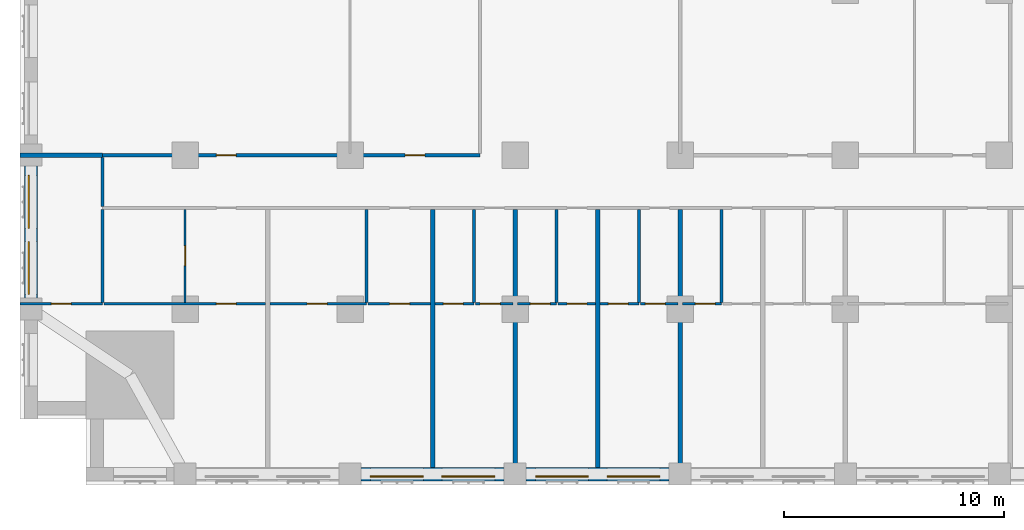
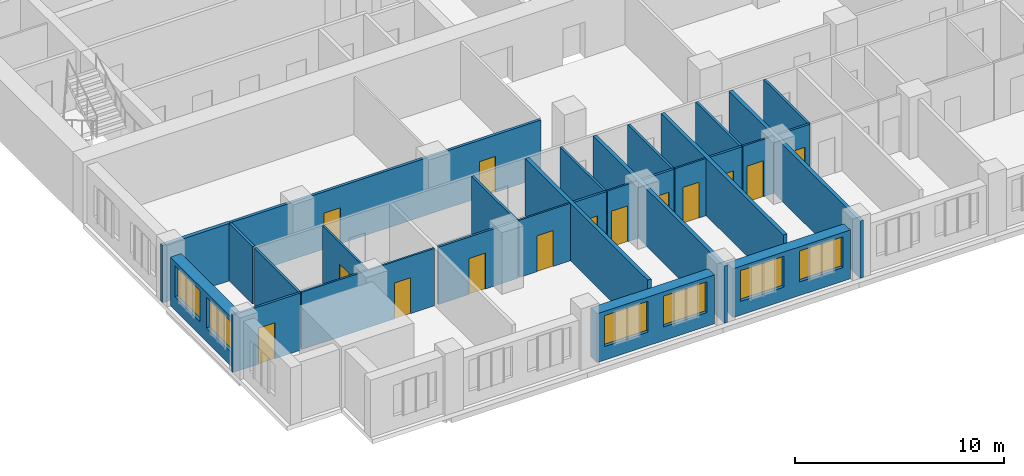
# One storey, part 4 of 15: 28 walls, 14 doors, 6 windows, 20 openings.
"""IFC4 building model written with IfcOpenShell, lengths in metres."""

from ifc_helpers import new_model, si_unit, direction, frame, frame_2d, origin, place, context, subcontext, project, spatial, rectangle, extrude, material, layer, layer_set, type_object, element, fill, save


model = new_model("IFC4")

# Units and contexts
model_context = context("Model", 3, precision=1e-05, world=origin(), true_north=direction((0.0, 1.0)))
body_context = subcontext(model_context, "Body", "Model", "MODEL_VIEW")
ifc_project = project(units=[si_unit("LENGTHUNIT", "METRE"), si_unit("AREAUNIT", "SQUARE_METRE"), si_unit("VOLUMEUNIT", "CUBIC_METRE"), si_unit("PLANEANGLEUNIT", "RADIAN"), si_unit("MASSUNIT", "GRAM", prefix="KILO")], contexts=[model_context])

# Site, building, storey
site_placement = place(None, origin())
site = spatial("IfcSite", under=ifc_project, at=site_placement, CompositionType="ELEMENT")
building_placement = place(site_placement, origin())
building = spatial("IfcBuilding", under=site, at=building_placement, Name="Tamorin Gate", CompositionType="ELEMENT")
storey_placement = place(building_placement, frame((0.0, 0.0, 62.800048828125)))
storey = spatial("IfcBuildingStorey", under=building, at=storey_placement, Name="L14", CompositionType="ELEMENT", Elevation=62.800048828125)

# Wall, openings, windows
ifc_material_1 = material(Name="Precast concrete C40/50", Category="concrete")
ifc_layer_1 = layer(ifc_material_1, 0.60009765625)
ifc_layer_set_1 = layer_set([ifc_layer_1], Name="Precast concrete C40/50")
wall_type_1 = type_object("IfcWallType", Name="Board-marked concrete facade panel 600", PredefinedType="SOLIDWALL", material=ifc_layer_set_1)
wall_1_placement = place(storey_placement, frame((45.5, 38.0, 0.0), z_axis=(0.0, 0.0, 1.0), x_axis=(1.0, 0.0, 0.0)))
wall_1 = element("IfcWall", 1, at=wall_1_placement, inside=storey, type_object=wall_type_1, Name="Facade panel", PredefinedType="SOLIDWALL", context=body_context, shape_type="SweptSolid", body=[
    extrude(rectangle(XDim=6.5, YDim=0.60009765625, at=frame_2d((3.25, 0.0))), origin(), (0.0, 0.0, 1.0), 2.849853515625),
])
opening_1_placement = place(wall_1_placement, frame((0.425048828125, 0.0, 0.800048828125)))
opening_1 = element("IfcOpeningElement", 2, at=opening_1_placement, cuts=wall_1, Name="Opening WN1", PredefinedType="OPENING", context=body_context, shape_type="SweptSolid", body=[
    extrude(rectangle(XDim=2.39990234375, YDim=1.800048828125, at=frame_2d((1.199951171875, 0.89990234375))), frame((0.0, 0.31005859375, 0.0), z_axis=(0.0, -1.0, 0.0), x_axis=(1.0, 0.0, 0.0)), (0.0, 0.0, 1.0), 0.6201171875),
])
opening_2_placement = place(wall_1_placement, frame((3.675048828125, 0.0, 0.800048828125)))
opening_2 = element("IfcOpeningElement", 3, at=opening_2_placement, cuts=wall_1, Name="Opening WN1", PredefinedType="OPENING", context=body_context, shape_type="SweptSolid", body=[
    extrude(rectangle(XDim=2.39990234375, YDim=1.800048828125, at=frame_2d((1.199951171875, 0.89990234375))), frame((0.0, 0.31005859375, 0.0), z_axis=(0.0, -1.0, 0.0), x_axis=(1.0, 0.0, 0.0)), (0.0, 0.0, 1.0), 0.6201171875),
])
ifc_material_2 = material(Name="Clear glass in aluminium frame", Category="aluminium")
window_type = type_object("IfcWindowType", Name="Deep-set window 2400x1800", PartitioningType="SINGLE_PANEL", PredefinedType="WINDOW", material=ifc_material_2)
window_1_placement = place(opening_1_placement, origin())
window_1 = element("IfcWindow", 4, at=window_1_placement, inside=storey, type_object=window_type, Name="Deep-set window", OverallHeight=1.800048828125, OverallWidth=2.39990234375, PartitioningType="SINGLE_PANEL", PredefinedType="WINDOW", context=body_context, shape_type="SweptSolid", body=[
    extrude(rectangle(XDim=2.39990234375, YDim=1.800048828125, at=frame_2d((1.199951171875, 0.89990234375))), frame((0.0, -0.070068359375, 0.0), z_axis=(0.0, -1.0, 0.0), x_axis=(1.0, 0.0, 0.0)), (0.0, 0.0, 1.0), 0.06005859375),
])
fill(opening_1, window_1)
window_2_placement = place(opening_2_placement, origin())
window_2 = element("IfcWindow", 5, at=window_2_placement, inside=storey, type_object=window_type, Name="Deep-set window", OverallHeight=1.800048828125, OverallWidth=2.39990234375, PartitioningType="SINGLE_PANEL", PredefinedType="WINDOW", context=body_context, shape_type="SweptSolid", body=[
    extrude(rectangle(XDim=2.39990234375, YDim=1.800048828125, at=frame_2d((1.199951171875, 0.89990234375))), frame((0.0, -0.070068359375, 0.0), z_axis=(0.0, -1.0, 0.0), x_axis=(1.0, 0.0, 0.0)), (0.0, 0.0, 1.0), 0.06005859375),
])
fill(opening_2, window_2)

wall_2_placement = place(storey_placement, frame((53.0, 38.0, 0.0), z_axis=(0.0, 0.0, 1.0), x_axis=(1.0, 0.0, 0.0)))
wall_2 = element("IfcWall", 6, at=wall_2_placement, inside=storey, type_object=wall_type_1, Name="Facade panel", PredefinedType="SOLIDWALL", context=body_context, shape_type="SweptSolid", body=[
    extrude(rectangle(XDim=6.5, YDim=0.60009765625, at=frame_2d((3.25, 0.0))), origin(), (0.0, 0.0, 1.0), 2.849853515625),
])
opening_3_placement = place(wall_2_placement, frame((0.425048828125, 0.0, 0.800048828125)))
opening_3 = element("IfcOpeningElement", 7, at=opening_3_placement, cuts=wall_2, Name="Opening WN1", PredefinedType="OPENING", context=body_context, shape_type="SweptSolid", body=[
    extrude(rectangle(XDim=2.39990234375, YDim=1.800048828125, at=frame_2d((1.199951171875, 0.89990234375))), frame((0.0, 0.31005859375, 0.0), z_axis=(0.0, -1.0, 0.0), x_axis=(1.0, 0.0, 0.0)), (0.0, 0.0, 1.0), 0.6201171875),
])
opening_4_placement = place(wall_2_placement, frame((3.675048828125, 0.0, 0.800048828125)))
opening_4 = element("IfcOpeningElement", 8, at=opening_4_placement, cuts=wall_2, Name="Opening WN1", PredefinedType="OPENING", context=body_context, shape_type="SweptSolid", body=[
    extrude(rectangle(XDim=2.39990234375, YDim=1.800048828125, at=frame_2d((1.199951171875, 0.89990234375))), frame((0.0, 0.31005859375, 0.0), z_axis=(0.0, -1.0, 0.0), x_axis=(1.0, 0.0, 0.0)), (0.0, 0.0, 1.0), 0.6201171875),
])
window_3_placement = place(opening_3_placement, origin())
window_3 = element("IfcWindow", 9, at=window_3_placement, inside=storey, type_object=window_type, Name="Deep-set window", OverallHeight=1.800048828125, OverallWidth=2.39990234375, PartitioningType="SINGLE_PANEL", PredefinedType="WINDOW", context=body_context, shape_type="SweptSolid", body=[
    extrude(rectangle(XDim=2.39990234375, YDim=1.800048828125, at=frame_2d((1.199951171875, 0.89990234375))), frame((0.0, -0.070068359375, 0.0), z_axis=(0.0, -1.0, 0.0), x_axis=(1.0, 0.0, 0.0)), (0.0, 0.0, 1.0), 0.06005859375),
])
fill(opening_3, window_3)
window_4_placement = place(opening_4_placement, origin())
window_4 = element("IfcWindow", 10, at=window_4_placement, inside=storey, type_object=window_type, Name="Deep-set window", OverallHeight=1.800048828125, OverallWidth=2.39990234375, PartitioningType="SINGLE_PANEL", PredefinedType="WINDOW", context=body_context, shape_type="SweptSolid", body=[
    extrude(rectangle(XDim=2.39990234375, YDim=1.800048828125, at=frame_2d((1.199951171875, 0.89990234375))), frame((0.0, -0.070068359375, 0.0), z_axis=(0.0, -1.0, 0.0), x_axis=(1.0, 0.0, 0.0)), (0.0, 0.0, 1.0), 0.06005859375),
])
fill(opening_4, window_4)

wall_3_placement = place(storey_placement, frame((30.5, 52.0, 0.0), z_axis=(0.0, 0.0, 1.0), x_axis=(0.0, -1.0, 0.0)))
wall_3 = element("IfcWall", 11, at=wall_3_placement, inside=storey, type_object=wall_type_1, Name="Facade panel", PredefinedType="SOLIDWALL", context=body_context, shape_type="SweptSolid", body=[
    extrude(rectangle(XDim=6.0, YDim=0.60009765625, at=frame_2d((3.0, 0.0))), origin(), (0.0, 0.0, 1.0), 2.849853515625),
])
opening_5_placement = place(wall_3_placement, frame((3.425048828125, 0.0, 0.800048828125)))
opening_5 = element("IfcOpeningElement", 12, at=opening_5_placement, cuts=wall_3, Name="Opening WN1", PredefinedType="OPENING", context=body_context, shape_type="SweptSolid", body=[
    extrude(rectangle(XDim=2.39990234375, YDim=1.800048828125, at=frame_2d((1.199951171875, 0.89990234375))), frame((0.0, 0.31005859375, 0.0), z_axis=(0.0, -1.0, 0.0), x_axis=(1.0, 0.0, 0.0)), (0.0, 0.0, 1.0), 0.6201171875),
])
opening_6_placement = place(wall_3_placement, frame((0.425048828125, 0.0, 0.800048828125)))
opening_6 = element("IfcOpeningElement", 13, at=opening_6_placement, cuts=wall_3, Name="Opening WN1", PredefinedType="OPENING", context=body_context, shape_type="SweptSolid", body=[
    extrude(rectangle(XDim=2.39990234375, YDim=1.800048828125, at=frame_2d((1.199951171875, 0.89990234375))), frame((0.0, 0.31005859375, 0.0), z_axis=(0.0, -1.0, 0.0), x_axis=(1.0, 0.0, 0.0)), (0.0, 0.0, 1.0), 0.6201171875),
])
window_5_placement = place(opening_5_placement, origin())
window_5 = element("IfcWindow", 14, at=window_5_placement, inside=storey, type_object=window_type, Name="Deep-set window", OverallHeight=1.800048828125, OverallWidth=2.39990234375, PartitioningType="SINGLE_PANEL", PredefinedType="WINDOW", context=body_context, shape_type="SweptSolid", body=[
    extrude(rectangle(XDim=2.39990234375, YDim=1.800048828125, at=frame_2d((1.199951171875, 0.89990234375))), frame((0.0, -0.070068359375, 0.0), z_axis=(0.0, -1.0, 0.0), x_axis=(1.0, 0.0, 0.0)), (0.0, 0.0, 1.0), 0.06005859375),
])
fill(opening_5, window_5)
window_6_placement = place(opening_6_placement, origin())
window_6 = element("IfcWindow", 15, at=window_6_placement, inside=storey, type_object=window_type, Name="Deep-set window", OverallHeight=1.800048828125, OverallWidth=2.39990234375, PartitioningType="SINGLE_PANEL", PredefinedType="WINDOW", context=body_context, shape_type="SweptSolid", body=[
    extrude(rectangle(XDim=2.39990234375, YDim=1.800048828125, at=frame_2d((1.199951171875, 0.89990234375))), frame((0.0, -0.070068359375, 0.0), z_axis=(0.0, -1.0, 0.0), x_axis=(1.0, 0.0, 0.0)), (0.0, 0.0, 1.0), 0.06005859375),
])
fill(opening_6, window_6)

# Wall, openings, doors
ifc_material_3 = material(Name="Gypsum board partition")
ifc_layer_2 = layer(ifc_material_3, 0.14990234375)
ifc_layer_set_2 = layer_set([ifc_layer_2], Name="Corridor wall 150")
wall_type_2 = type_object("IfcWallType", Name="Corridor wall 150", PredefinedType="PARTITIONING", material=ifc_layer_set_2)
wall_4_placement = place(storey_placement, frame((33.75, 52.5, 0.0), z_axis=(0.0, 0.0, 1.0), x_axis=(1.0, 0.0, 0.0)))
wall_4 = element("IfcWall", 16, at=wall_4_placement, inside=storey, type_object=wall_type_2, Name="Corridor wall 150", PredefinedType="PARTITIONING", context=body_context, shape_type="SweptSolid", body=[
    extrude(rectangle(XDim=17.14990234375, YDim=0.14990234375, at=frame_2d((8.574951171875, 0.0))), origin(), (0.0, 0.0, 1.0), 3.349853515625),
])
opening_7_placement = place(wall_4_placement, frame((5.175048828125, 0.0, 0.0)))
opening_7 = element("IfcOpeningElement", 17, at=opening_7_placement, cuts=wall_4, Name="Opening DH1093", PredefinedType="OPENING", context=body_context, shape_type="SweptSolid", body=[
    extrude(rectangle(XDim=0.89990234375, YDim=2.10009765625, at=frame_2d((0.449951171875, 1.050048828125))), frame((0.0, 0.0849609375, 0.0), z_axis=(0.0, -1.0, 0.0), x_axis=(1.0, 0.0, 0.0)), (0.0, 0.0, 1.0), 0.169921875),
])
opening_8_placement = place(wall_4_placement, frame((13.75, 0.0, 0.0)))
opening_8 = element("IfcOpeningElement", 18, at=opening_8_placement, cuts=wall_4, Name="Opening DH1094", PredefinedType="OPENING", context=body_context, shape_type="SweptSolid", body=[
    extrude(rectangle(XDim=0.89990234375, YDim=2.10009765625, at=frame_2d((0.449951171875, 1.050048828125))), frame((0.0, 0.0849609375, 0.0), z_axis=(0.0, -1.0, 0.0), x_axis=(1.0, 0.0, 0.0)), (0.0, 0.0, 1.0), 0.169921875),
])
ifc_material_4 = material(Name="Timber door leaf", Category="wood")
door_type_1 = type_object("IfcDoorType", Name="Door 900 x 2100 FD30S", OperationType="NOTDEFINED", PredefinedType="DOOR", material=ifc_material_4)
door_1_placement = place(opening_7_placement, origin())
door_1 = element("IfcDoor", 19, at=door_1_placement, inside=storey, type_object=door_type_1, Name="Door DH1093", OperationType="SINGLE_SWING_LEFT", OverallHeight=2.10009765625, OverallWidth=0.89990234375, PredefinedType="DOOR", context=body_context, shape_type="SweptSolid", body=[
    extrude(rectangle(XDim=0.89990234375, YDim=2.10009765625, at=frame_2d((0.449951171875, 1.050048828125))), frame((0.0, 0.02490234375, 0.0), z_axis=(0.0, -1.0, 0.0), x_axis=(1.0, 0.0, 0.0)), (0.0, 0.0, 1.0), 0.050048828125),
])
fill(opening_7, door_1)
door_2_placement = place(opening_8_placement, origin())
door_2 = element("IfcDoor", 20, at=door_2_placement, inside=storey, type_object=door_type_1, Name="Door DH1094", OperationType="SINGLE_SWING_LEFT", OverallHeight=2.10009765625, OverallWidth=0.89990234375, PredefinedType="DOOR", context=body_context, shape_type="SweptSolid", body=[
    extrude(rectangle(XDim=0.89990234375, YDim=2.10009765625, at=frame_2d((0.449951171875, 1.050048828125))), frame((0.0, 0.02490234375, 0.0), z_axis=(0.0, -1.0, 0.0), x_axis=(1.0, 0.0, 0.0)), (0.0, 0.0, 1.0), 0.050048828125),
])
fill(opening_8, door_2)

# Walls
wall_5_placement = place(storey_placement, frame((33.75, 50.175048828125, 0.0), z_axis=(0.0, 0.0, 1.0), x_axis=(0.0, 1.0, 0.0)))
element("IfcWall", 21, at=wall_5_placement, inside=storey, type_object=wall_type_2, Name="Corridor wall 150", PredefinedType="PARTITIONING", context=body_context, shape_type="SweptSolid", body=[
    extrude(rectangle(XDim=2.224853515625, YDim=0.14990234375, at=frame_2d((1.1123046875, 0.0))), origin(), (0.0, 0.0, 1.0), 3.349853515625),
])
ifc_layer_3 = layer(ifc_material_3, 0.199951171875)
ifc_layer_set_3 = layer_set([ifc_layer_3], Name="Demising wall 200")
wall_type_3 = type_object("IfcWallType", Name="Demising wall 200", PredefinedType="PARTITIONING", material=ifc_layer_set_3)
wall_6_placement = place(storey_placement, frame((30.0, 52.5, 0.0), z_axis=(0.0, 0.0, 1.0), x_axis=(1.0, 0.0, 0.0)))
element("IfcWall", 22, at=wall_6_placement, inside=storey, type_object=wall_type_3, Name="Demising wall 200", PredefinedType="PARTITIONING", context=body_context, shape_type="SweptSolid", body=[
    extrude(rectangle(XDim=3.75, YDim=0.199951171875, at=frame_2d((1.875, 0.0))), origin(), (0.0, 0.0, 1.0), 3.349853515625),
])
wall_7_placement = place(storey_placement, frame((48.75, 38.31005859375, 0.0), z_axis=(0.0, 0.0, 1.0), x_axis=(0.0, 1.0, 0.0)))
element("IfcWall", 23, at=wall_7_placement, inside=storey, type_object=wall_type_3, Name="Demising wall 200", PredefinedType="PARTITIONING", context=body_context, shape_type="SweptSolid", body=[
    extrude(rectangle(XDim=11.71484375, YDim=0.199951171875, at=frame_2d((5.857421875, 0.0))), origin(), (0.0, 0.0, 1.0), 3.349853515625),
])
wall_8_placement = place(storey_placement, frame((52.5, 37.5, 0.0), z_axis=(0.0, 0.0, 1.0), x_axis=(0.0, 1.0, 0.0)))
element("IfcWall", 24, at=wall_8_placement, inside=storey, type_object=wall_type_3, Name="Demising wall 200", PredefinedType="PARTITIONING", context=body_context, shape_type="SweptSolid", body=[
    extrude(rectangle(XDim=12.52490234375, YDim=0.199951171875, at=frame_2d((6.262451171875, 0.0))), origin(), (0.0, 0.0, 1.0), 3.349853515625),
])
wall_9_placement = place(storey_placement, frame((56.25, 38.31005859375, 0.0), z_axis=(0.0, 0.0, 1.0), x_axis=(0.0, 1.0, 0.0)))
element("IfcWall", 25, at=wall_9_placement, inside=storey, type_object=wall_type_3, Name="Demising wall 200", PredefinedType="PARTITIONING", context=body_context, shape_type="SweptSolid", body=[
    extrude(rectangle(XDim=11.71484375, YDim=0.199951171875, at=frame_2d((5.857421875, 0.0))), origin(), (0.0, 0.0, 1.0), 3.349853515625),
])
wall_10_placement = place(storey_placement, frame((60.0, 37.5, 0.0), z_axis=(0.0, 0.0, 1.0), x_axis=(0.0, 1.0, 0.0)))
element("IfcWall", 26, at=wall_10_placement, inside=storey, type_object=wall_type_3, Name="Demising wall 200", PredefinedType="PARTITIONING", context=body_context, shape_type="SweptSolid", body=[
    extrude(rectangle(XDim=12.52490234375, YDim=0.199951171875, at=frame_2d((6.262451171875, 0.0))), origin(), (0.0, 0.0, 1.0), 3.349853515625),
])

# Wall, opening, door
ifc_layer_4 = layer(ifc_material_3, 0.10009765625)
ifc_layer_set_4 = layer_set([ifc_layer_4], Name="Room partition 100")
wall_type_4 = type_object("IfcWallType", Name="Room partition 100", PredefinedType="PARTITIONING", material=ifc_layer_set_4)
wall_11_placement = place(storey_placement, frame((33.8125, 45.75, 0.0), z_axis=(0.0, 0.0, 1.0), x_axis=(1.0, 0.0, 0.0)))
wall_11 = element("IfcWall", 27, at=wall_11_placement, inside=storey, type_object=wall_type_4, Name="Room partition 100", PredefinedType="PARTITIONING", context=body_context, shape_type="SweptSolid", body=[
    extrude(rectangle(XDim=7.33740234375, YDim=0.10009765625, at=frame_2d((3.668701171875, 0.0))), origin(), (0.0, 0.0, 1.0), 3.349853515625),
])
opening_9_placement = place(wall_11_placement, frame((5.112548828125, 0.0, 0.0)))
opening_9 = element("IfcOpeningElement", 28, at=opening_9_placement, cuts=wall_11, Name="Opening DH1004", PredefinedType="OPENING", context=body_context, shape_type="SweptSolid", body=[
    extrude(rectangle(XDim=0.89990234375, YDim=2.10009765625, at=frame_2d((0.449951171875, 1.050048828125))), frame((0.0, 0.06005859375, 0.0), z_axis=(0.0, -1.0, 0.0), x_axis=(1.0, 0.0, 0.0)), (0.0, 0.0, 1.0), 0.1201171875),
])
door_type_2 = type_object("IfcDoorType", Name="Door 900 x 2100", OperationType="NOTDEFINED", PredefinedType="DOOR", material=ifc_material_4)
door_3_placement = place(opening_9_placement, origin())
door_3 = element("IfcDoor", 29, at=door_3_placement, inside=storey, type_object=door_type_2, Name="Door DH1004", OperationType="SINGLE_SWING_LEFT", OverallHeight=2.10009765625, OverallWidth=0.89990234375, PredefinedType="DOOR", context=body_context, shape_type="SweptSolid", body=[
    extrude(rectangle(XDim=0.89990234375, YDim=2.10009765625, at=frame_2d((0.449951171875, 1.050048828125))), frame((0.0, 0.02490234375, 0.0), z_axis=(0.0, -1.0, 0.0), x_axis=(1.0, 0.0, 0.0)), (0.0, 0.0, 1.0), 0.050048828125),
])
fill(opening_9, door_3)

wall_12_placement = place(storey_placement, frame((45.8125, 45.75, 0.0), z_axis=(0.0, 0.0, 1.0), x_axis=(1.0, 0.0, 0.0)))
wall_12 = element("IfcWall", 30, at=wall_12_placement, inside=storey, type_object=wall_type_4, Name="Room partition 100", PredefinedType="PARTITIONING", context=body_context, shape_type="SweptSolid", body=[
    extrude(rectangle(XDim=2.83740234375, YDim=0.10009765625, at=frame_2d((1.418701171875, 0.0))), origin(), (0.0, 0.0, 1.0), 3.349853515625),
])
opening_10_placement = place(wall_12_placement, frame((0.987548828125, 0.0, 0.0)))
opening_10 = element("IfcOpeningElement", 31, at=opening_10_placement, cuts=wall_12, Name="Opening DH1007", PredefinedType="OPENING", context=body_context, shape_type="SweptSolid", body=[
    extrude(rectangle(XDim=0.89990234375, YDim=2.10009765625, at=frame_2d((0.449951171875, 1.050048828125))), frame((0.0, 0.06005859375, 0.0), z_axis=(0.0, -1.0, 0.0), x_axis=(1.0, 0.0, 0.0)), (0.0, 0.0, 1.0), 0.1201171875),
])
door_4_placement = place(opening_10_placement, origin())
door_4 = element("IfcDoor", 32, at=door_4_placement, inside=storey, type_object=door_type_2, Name="Door DH1007", OperationType="SINGLE_SWING_LEFT", OverallHeight=2.10009765625, OverallWidth=0.89990234375, PredefinedType="DOOR", context=body_context, shape_type="SweptSolid", body=[
    extrude(rectangle(XDim=0.89990234375, YDim=2.10009765625, at=frame_2d((0.449951171875, 1.050048828125))), frame((0.0, 0.02490234375, 0.0), z_axis=(0.0, -1.0, 0.0), x_axis=(1.0, 0.0, 0.0)), (0.0, 0.0, 1.0), 0.050048828125),
])
fill(opening_10, door_4)

wall_13_placement = place(storey_placement, frame((50.6875, 45.75, 0.0), z_axis=(0.0, 0.0, 1.0), x_axis=(1.0, 0.0, 0.0)))
wall_13 = element("IfcWall", 33, at=wall_13_placement, inside=storey, type_object=wall_type_4, Name="Room partition 100", PredefinedType="PARTITIONING", context=body_context, shape_type="SweptSolid", body=[
    extrude(rectangle(XDim=1.71240234375, YDim=0.10009765625, at=frame_2d((0.856201171875, 0.0))), origin(), (0.0, 0.0, 1.0), 3.349853515625),
])
opening_11_placement = place(wall_13_placement, frame((0.22509765625, 0.0, 0.0)))
opening_11 = element("IfcOpeningElement", 34, at=opening_11_placement, cuts=wall_13, Name="Opening DH1010", PredefinedType="OPENING", context=body_context, shape_type="SweptSolid", body=[
    extrude(rectangle(XDim=0.89990234375, YDim=2.10009765625, at=frame_2d((0.449951171875, 1.050048828125))), frame((0.0, 0.06005859375, 0.0), z_axis=(0.0, -1.0, 0.0), x_axis=(1.0, 0.0, 0.0)), (0.0, 0.0, 1.0), 0.1201171875),
])
door_5_placement = place(opening_11_placement, origin())
door_5 = element("IfcDoor", 35, at=door_5_placement, inside=storey, type_object=door_type_2, Name="Door DH1010", OperationType="SINGLE_SWING_LEFT", OverallHeight=2.10009765625, OverallWidth=0.89990234375, PredefinedType="DOOR", context=body_context, shape_type="SweptSolid", body=[
    extrude(rectangle(XDim=0.89990234375, YDim=2.10009765625, at=frame_2d((0.449951171875, 1.050048828125))), frame((0.0, 0.02490234375, 0.0), z_axis=(0.0, -1.0, 0.0), x_axis=(1.0, 0.0, 0.0)), (0.0, 0.0, 1.0), 0.050048828125),
])
fill(opening_11, door_5)

wall_14_placement = place(storey_placement, frame((54.4375, 45.75, 0.0), z_axis=(0.0, 0.0, 1.0), x_axis=(1.0, 0.0, 0.0)))
wall_14 = element("IfcWall", 36, at=wall_14_placement, inside=storey, type_object=wall_type_4, Name="Room partition 100", PredefinedType="PARTITIONING", context=body_context, shape_type="SweptSolid", body=[
    extrude(rectangle(XDim=1.71240234375, YDim=0.10009765625, at=frame_2d((0.856201171875, 0.0))), origin(), (0.0, 0.0, 1.0), 3.349853515625),
])
opening_12_placement = place(wall_14_placement, frame((0.425048828125, 0.0, 0.0)))
opening_12 = element("IfcOpeningElement", 37, at=opening_12_placement, cuts=wall_14, Name="Opening DH1013", PredefinedType="OPENING", context=body_context, shape_type="SweptSolid", body=[
    extrude(rectangle(XDim=0.89990234375, YDim=2.10009765625, at=frame_2d((0.449951171875, 1.050048828125))), frame((0.0, 0.06005859375, 0.0), z_axis=(0.0, -1.0, 0.0), x_axis=(1.0, 0.0, 0.0)), (0.0, 0.0, 1.0), 0.1201171875),
])
door_6_placement = place(opening_12_placement, origin())
door_6 = element("IfcDoor", 38, at=door_6_placement, inside=storey, type_object=door_type_2, Name="Door DH1013", OperationType="SINGLE_SWING_LEFT", OverallHeight=2.10009765625, OverallWidth=0.89990234375, PredefinedType="DOOR", context=body_context, shape_type="SweptSolid", body=[
    extrude(rectangle(XDim=0.89990234375, YDim=2.10009765625, at=frame_2d((0.449951171875, 1.050048828125))), frame((0.0, 0.02490234375, 0.0), z_axis=(0.0, -1.0, 0.0), x_axis=(1.0, 0.0, 0.0)), (0.0, 0.0, 1.0), 0.050048828125),
])
fill(opening_12, door_6)

wall_15_placement = place(storey_placement, frame((58.1875, 45.75, 0.0), z_axis=(0.0, 0.0, 1.0), x_axis=(1.0, 0.0, 0.0)))
wall_15 = element("IfcWall", 39, at=wall_15_placement, inside=storey, type_object=wall_type_4, Name="Room partition 100", PredefinedType="PARTITIONING", context=body_context, shape_type="SweptSolid", body=[
    extrude(rectangle(XDim=1.71240234375, YDim=0.10009765625, at=frame_2d((0.856201171875, 0.0))), origin(), (0.0, 0.0, 1.0), 3.349853515625),
])
opening_13_placement = place(wall_15_placement, frame((0.22509765625, 0.0, 0.0)))
opening_13 = element("IfcOpeningElement", 40, at=opening_13_placement, cuts=wall_15, Name="Opening DH1016", PredefinedType="OPENING", context=body_context, shape_type="SweptSolid", body=[
    extrude(rectangle(XDim=0.89990234375, YDim=2.10009765625, at=frame_2d((0.449951171875, 1.050048828125))), frame((0.0, 0.06005859375, 0.0), z_axis=(0.0, -1.0, 0.0), x_axis=(1.0, 0.0, 0.0)), (0.0, 0.0, 1.0), 0.1201171875),
])
door_7_placement = place(opening_13_placement, origin())
door_7 = element("IfcDoor", 41, at=door_7_placement, inside=storey, type_object=door_type_2, Name="Door DH1016", OperationType="SINGLE_SWING_LEFT", OverallHeight=2.10009765625, OverallWidth=0.89990234375, PredefinedType="DOOR", context=body_context, shape_type="SweptSolid", body=[
    extrude(rectangle(XDim=0.89990234375, YDim=2.10009765625, at=frame_2d((0.449951171875, 1.050048828125))), frame((0.0, 0.02490234375, 0.0), z_axis=(0.0, -1.0, 0.0), x_axis=(1.0, 0.0, 0.0)), (0.0, 0.0, 1.0), 0.050048828125),
])
fill(opening_13, door_7)

wall_16_placement = place(storey_placement, frame((37.5, 45.800048828125, 0.0), z_axis=(0.0, 0.0, 1.0), x_axis=(0.0, 1.0, 0.0)))
wall_16 = element("IfcWall", 42, at=wall_16_placement, inside=storey, type_object=wall_type_4, Name="Room partition 100", PredefinedType="PARTITIONING", context=body_context, shape_type="SweptSolid", body=[
    extrude(rectangle(XDim=4.224853515625, YDim=0.10009765625, at=frame_2d((2.1123046875, 0.0))), origin(), (0.0, 0.0, 1.0), 3.349853515625),
])
opening_14_placement = place(wall_16_placement, frame((1.675048828125, 0.0, 0.0)))
opening_14 = element("IfcOpeningElement", 43, at=opening_14_placement, cuts=wall_16, Name="Opening DH1002", PredefinedType="OPENING", context=body_context, shape_type="SweptSolid", body=[
    extrude(rectangle(XDim=0.89990234375, YDim=2.10009765625, at=frame_2d((0.449951171875, 1.050048828125))), frame((0.0, 0.06005859375, 0.0), z_axis=(0.0, -1.0, 0.0), x_axis=(1.0, 0.0, 0.0)), (0.0, 0.0, 1.0), 0.1201171875),
])
door_8_placement = place(opening_14_placement, origin())
door_8 = element("IfcDoor", 44, at=door_8_placement, inside=storey, type_object=door_type_2, Name="Door DH1002", OperationType="SINGLE_SWING_RIGHT", OverallHeight=2.10009765625, OverallWidth=0.89990234375, PredefinedType="DOOR", context=body_context, shape_type="SweptSolid", body=[
    extrude(rectangle(XDim=0.89990234375, YDim=2.10009765625, at=frame_2d((0.449951171875, 1.050048828125))), frame((0.0, 0.02490234375, 0.0), z_axis=(0.0, -1.0, 0.0), x_axis=(1.0, 0.0, 0.0)), (0.0, 0.0, 1.0), 0.050048828125),
])
fill(opening_14, door_8)

ifc_layer_5 = layer(ifc_material_3, 0.125)
ifc_layer_set_5 = layer_set([ifc_layer_5], Name="Wet wall 125")
wall_type_5 = type_object("IfcWallType", Name="Wet wall 125", PredefinedType="PARTITIONING", material=ifc_layer_set_5)
wall_17_placement = place(storey_placement, frame((30.0, 45.75, 0.0), z_axis=(0.0, 0.0, 1.0), x_axis=(1.0, 0.0, 0.0)))
wall_17 = element("IfcWall", 45, at=wall_17_placement, inside=storey, type_object=wall_type_5, Name="Wet wall 125", PredefinedType="PARTITIONING", context=body_context, shape_type="SweptSolid", body=[
    extrude(rectangle(XDim=3.75, YDim=0.125, at=frame_2d((1.875, 0.0))), origin(), (0.0, 0.0, 1.0), 3.349853515625),
])
opening_15_placement = place(wall_17_placement, frame((1.425048828125, 0.0, 0.0)))
opening_15 = element("IfcOpeningElement", 46, at=opening_15_placement, cuts=wall_17, Name="Opening DH1001", PredefinedType="OPENING", context=body_context, shape_type="SweptSolid", body=[
    extrude(rectangle(XDim=0.89990234375, YDim=2.10009765625, at=frame_2d((0.449951171875, 1.050048828125))), frame((0.0, 0.072509765625, 0.0), z_axis=(0.0, -1.0, 0.0), x_axis=(1.0, 0.0, 0.0)), (0.0, 0.0, 1.0), 0.14501953125),
])
door_9_placement = place(opening_15_placement, origin())
door_9 = element("IfcDoor", 47, at=door_9_placement, inside=storey, type_object=door_type_2, Name="Door DH1001", OperationType="SINGLE_SWING_LEFT", OverallHeight=2.10009765625, OverallWidth=0.89990234375, PredefinedType="DOOR", context=body_context, shape_type="SweptSolid", body=[
    extrude(rectangle(XDim=0.89990234375, YDim=2.10009765625, at=frame_2d((0.449951171875, 1.050048828125))), frame((0.0, 0.02490234375, 0.0), z_axis=(0.0, -1.0, 0.0), x_axis=(1.0, 0.0, 0.0)), (0.0, 0.0, 1.0), 0.050048828125),
])
fill(opening_15, door_9)

wall_18_placement = place(storey_placement, frame((41.35009765625, 45.75, 0.0), z_axis=(0.0, 0.0, 1.0), x_axis=(1.0, 0.0, 0.0)))
wall_18 = element("IfcWall", 48, at=wall_18_placement, inside=storey, type_object=wall_type_5, Name="Wet wall 125", PredefinedType="PARTITIONING", context=body_context, shape_type="SweptSolid", body=[
    extrude(rectangle(XDim=4.39990234375, YDim=0.125, at=frame_2d((2.199951171875, 0.0))), origin(), (0.0, 0.0, 1.0), 3.349853515625),
])
opening_16_placement = place(wall_18_placement, frame((1.699951171875, 0.0, 0.0)))
opening_16 = element("IfcOpeningElement", 49, at=opening_16_placement, cuts=wall_18, Name="Opening DH1005", PredefinedType="OPENING", context=body_context, shape_type="SweptSolid", body=[
    extrude(rectangle(XDim=0.89990234375, YDim=2.10009765625, at=frame_2d((0.449951171875, 1.050048828125))), frame((0.0, 0.072509765625, 0.0), z_axis=(0.0, -1.0, 0.0), x_axis=(1.0, 0.0, 0.0)), (0.0, 0.0, 1.0), 0.14501953125),
])
door_10_placement = place(opening_16_placement, origin())
door_10 = element("IfcDoor", 50, at=door_10_placement, inside=storey, type_object=door_type_2, Name="Door DH1005", OperationType="SINGLE_SWING_LEFT", OverallHeight=2.10009765625, OverallWidth=0.89990234375, PredefinedType="DOOR", context=body_context, shape_type="SweptSolid", body=[
    extrude(rectangle(XDim=0.89990234375, YDim=2.10009765625, at=frame_2d((0.449951171875, 1.050048828125))), frame((0.0, 0.02490234375, 0.0), z_axis=(0.0, -1.0, 0.0), x_axis=(1.0, 0.0, 0.0)), (0.0, 0.0, 1.0), 0.050048828125),
])
fill(opening_16, door_10)

wall_19_placement = place(storey_placement, frame((48.85009765625, 45.75, 0.0), z_axis=(0.0, 0.0, 1.0), x_axis=(1.0, 0.0, 0.0)))
wall_19 = element("IfcWall", 51, at=wall_19_placement, inside=storey, type_object=wall_type_5, Name="Wet wall 125", PredefinedType="PARTITIONING", context=body_context, shape_type="SweptSolid", body=[
    extrude(rectangle(XDim=1.77490234375, YDim=0.125, at=frame_2d((0.887451171875, 0.0))), origin(), (0.0, 0.0, 1.0), 3.349853515625),
])
opening_17_placement = place(wall_19_placement, frame((0.387451171875, 0.0, 0.0)))
opening_17 = element("IfcOpeningElement", 52, at=opening_17_placement, cuts=wall_19, Name="Opening DH1008", PredefinedType="OPENING", context=body_context, shape_type="SweptSolid", body=[
    extrude(rectangle(XDim=0.89990234375, YDim=2.10009765625, at=frame_2d((0.449951171875, 1.050048828125))), frame((0.0, 0.072509765625, 0.0), z_axis=(0.0, -1.0, 0.0), x_axis=(1.0, 0.0, 0.0)), (0.0, 0.0, 1.0), 0.14501953125),
])
door_11_placement = place(opening_17_placement, origin())
door_11 = element("IfcDoor", 53, at=door_11_placement, inside=storey, type_object=door_type_2, Name="Door DH1008", OperationType="SINGLE_SWING_LEFT", OverallHeight=2.10009765625, OverallWidth=0.89990234375, PredefinedType="DOOR", context=body_context, shape_type="SweptSolid", body=[
    extrude(rectangle(XDim=0.89990234375, YDim=2.10009765625, at=frame_2d((0.449951171875, 1.050048828125))), frame((0.0, 0.02490234375, 0.0), z_axis=(0.0, -1.0, 0.0), x_axis=(1.0, 0.0, 0.0)), (0.0, 0.0, 1.0), 0.050048828125),
])
fill(opening_17, door_11)

wall_20_placement = place(storey_placement, frame((52.60009765625, 45.75, 0.0), z_axis=(0.0, 0.0, 1.0), x_axis=(1.0, 0.0, 0.0)))
wall_20 = element("IfcWall", 54, at=wall_20_placement, inside=storey, type_object=wall_type_5, Name="Wet wall 125", PredefinedType="PARTITIONING", context=body_context, shape_type="SweptSolid", body=[
    extrude(rectangle(XDim=1.77490234375, YDim=0.125, at=frame_2d((0.887451171875, 0.0))), origin(), (0.0, 0.0, 1.0), 3.349853515625),
])
opening_18_placement = place(wall_20_placement, frame((0.58740234375, 0.0, 0.0)))
opening_18 = element("IfcOpeningElement", 55, at=opening_18_placement, cuts=wall_20, Name="Opening DH1011", PredefinedType="OPENING", context=body_context, shape_type="SweptSolid", body=[
    extrude(rectangle(XDim=0.89990234375, YDim=2.10009765625, at=frame_2d((0.449951171875, 1.050048828125))), frame((0.0, 0.072509765625, 0.0), z_axis=(0.0, -1.0, 0.0), x_axis=(1.0, 0.0, 0.0)), (0.0, 0.0, 1.0), 0.14501953125),
])
door_12_placement = place(opening_18_placement, origin())
door_12 = element("IfcDoor", 56, at=door_12_placement, inside=storey, type_object=door_type_2, Name="Door DH1011", OperationType="SINGLE_SWING_RIGHT", OverallHeight=2.10009765625, OverallWidth=0.89990234375, PredefinedType="DOOR", context=body_context, shape_type="SweptSolid", body=[
    extrude(rectangle(XDim=0.89990234375, YDim=2.10009765625, at=frame_2d((0.449951171875, 1.050048828125))), frame((0.0, 0.02490234375, 0.0), z_axis=(0.0, -1.0, 0.0), x_axis=(1.0, 0.0, 0.0)), (0.0, 0.0, 1.0), 0.050048828125),
])
fill(opening_18, door_12)

wall_21_placement = place(storey_placement, frame((56.35009765625, 45.75, 0.0), z_axis=(0.0, 0.0, 1.0), x_axis=(1.0, 0.0, 0.0)))
wall_21 = element("IfcWall", 57, at=wall_21_placement, inside=storey, type_object=wall_type_5, Name="Wet wall 125", PredefinedType="PARTITIONING", context=body_context, shape_type="SweptSolid", body=[
    extrude(rectangle(XDim=1.77490234375, YDim=0.125, at=frame_2d((0.887451171875, 0.0))), origin(), (0.0, 0.0, 1.0), 3.349853515625),
])
opening_19_placement = place(wall_21_placement, frame((0.387451171875, 0.0, 0.0)))
opening_19 = element("IfcOpeningElement", 58, at=opening_19_placement, cuts=wall_21, Name="Opening DH1014", PredefinedType="OPENING", context=body_context, shape_type="SweptSolid", body=[
    extrude(rectangle(XDim=0.89990234375, YDim=2.10009765625, at=frame_2d((0.449951171875, 1.050048828125))), frame((0.0, 0.072509765625, 0.0), z_axis=(0.0, -1.0, 0.0), x_axis=(1.0, 0.0, 0.0)), (0.0, 0.0, 1.0), 0.14501953125),
])
door_13_placement = place(opening_19_placement, origin())
door_13 = element("IfcDoor", 59, at=door_13_placement, inside=storey, type_object=door_type_2, Name="Door DH1014", OperationType="SINGLE_SWING_LEFT", OverallHeight=2.10009765625, OverallWidth=0.89990234375, PredefinedType="DOOR", context=body_context, shape_type="SweptSolid", body=[
    extrude(rectangle(XDim=0.89990234375, YDim=2.10009765625, at=frame_2d((0.449951171875, 1.050048828125))), frame((0.0, 0.02490234375, 0.0), z_axis=(0.0, -1.0, 0.0), x_axis=(1.0, 0.0, 0.0)), (0.0, 0.0, 1.0), 0.050048828125),
])
fill(opening_19, door_13)

wall_22_placement = place(storey_placement, frame((60.10009765625, 45.75, 0.0), z_axis=(0.0, 0.0, 1.0), x_axis=(1.0, 0.0, 0.0)))
wall_22 = element("IfcWall", 60, at=wall_22_placement, inside=storey, type_object=wall_type_5, Name="Wet wall 125", PredefinedType="PARTITIONING", context=body_context, shape_type="SweptSolid", body=[
    extrude(rectangle(XDim=1.77490234375, YDim=0.125, at=frame_2d((0.887451171875, 0.0))), origin(), (0.0, 0.0, 1.0), 3.349853515625),
])
opening_20_placement = place(wall_22_placement, frame((0.58740234375, 0.0, 0.0)))
opening_20 = element("IfcOpeningElement", 61, at=opening_20_placement, cuts=wall_22, Name="Opening DH1017", PredefinedType="OPENING", context=body_context, shape_type="SweptSolid", body=[
    extrude(rectangle(XDim=0.89990234375, YDim=2.10009765625, at=frame_2d((0.449951171875, 1.050048828125))), frame((0.0, 0.072509765625, 0.0), z_axis=(0.0, -1.0, 0.0), x_axis=(1.0, 0.0, 0.0)), (0.0, 0.0, 1.0), 0.14501953125),
])
door_14_placement = place(opening_20_placement, origin())
door_14 = element("IfcDoor", 62, at=door_14_placement, inside=storey, type_object=door_type_2, Name="Door DH1017", OperationType="SINGLE_SWING_RIGHT", OverallHeight=2.10009765625, OverallWidth=0.89990234375, PredefinedType="DOOR", context=body_context, shape_type="SweptSolid", body=[
    extrude(rectangle(XDim=0.89990234375, YDim=2.10009765625, at=frame_2d((0.449951171875, 1.050048828125))), frame((0.0, 0.02490234375, 0.0), z_axis=(0.0, -1.0, 0.0), x_axis=(1.0, 0.0, 0.0)), (0.0, 0.0, 1.0), 0.050048828125),
])
fill(opening_20, door_14)

# Walls
for number, where, z_axis, x_axis, name in (
    (63, (33.75, 45.8125, 0.0), (0.0, 0.0, 1.0), (0.0, 1.0, 0.0), "Wet wall 125"),
    (64, (45.75, 45.8125, 0.0), (0.0, 0.0, 1.0), (0.0, 1.0, 0.0), "Wet wall 125"),
    (65, (50.625, 45.8125, 0.0), (0.0, 0.0, 1.0), (0.0, 1.0, 0.0), "Wet wall 125"),
    (66, (54.375, 45.8125, 0.0), (0.0, 0.0, 1.0), (0.0, 1.0, 0.0), "Wet wall 125"),
    (67, (58.125, 45.8125, 0.0), (0.0, 0.0, 1.0), (0.0, 1.0, 0.0), "Wet wall 125"),
    (68, (61.875, 45.8125, 0.0), (0.0, 0.0, 1.0), (0.0, 1.0, 0.0), "Wet wall 125"),
):
    element("IfcWall", number, at=place(storey_placement, frame(where, z_axis=z_axis, x_axis=x_axis)), inside=storey, type_object=wall_type_5, Name=name, PredefinedType="PARTITIONING", context=body_context, shape_type="SweptSolid", body=[
        extrude(rectangle(XDim=4.21240234375, YDim=0.125, at=frame_2d((2.106201171875, 0.0))), origin(), (0.0, 0.0, 1.0), 3.349853515625),
    ])

save(model, "model.ifc")
